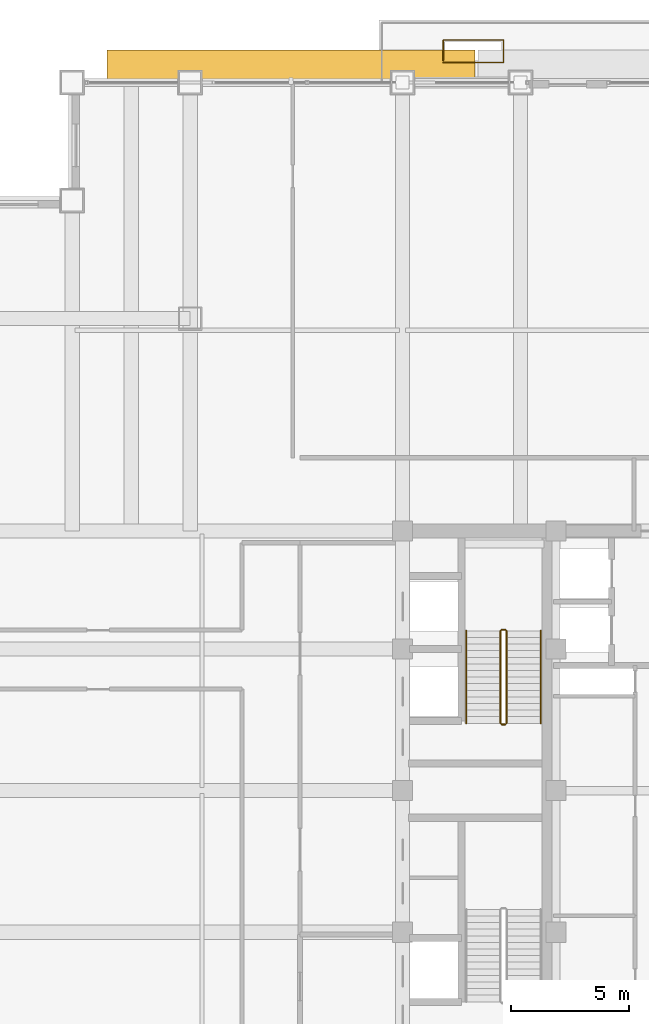
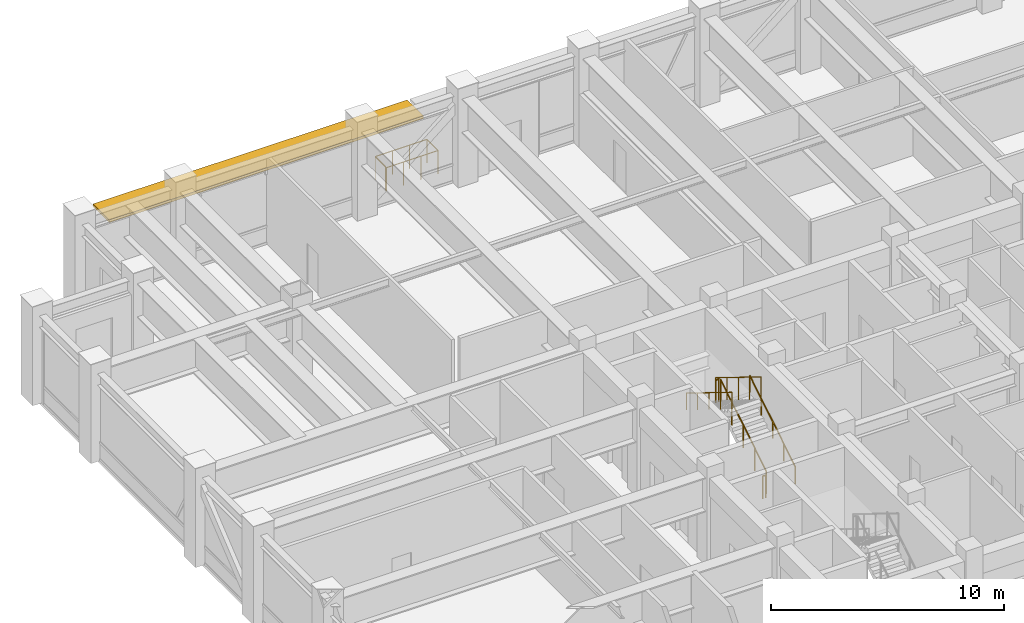
# One storey, part 31 of 33: 7 railings, 1 shading device.
"""IFC4 building model written with IfcOpenShell, lengths in metres."""

from ifc_helpers import new_model, si_unit, direction, frame, origin, origin_2d, place, context, subcontext, project, spatial, rectangle, circle, extrude, source, transform, mapped, material, layer, layer_set, type_object, element, save


model = new_model("IFC4")

# Units and contexts
model_context = context("Model", 3, precision=1e-05, world=origin(), true_north=direction((0.0, 1.0)))
body_context = subcontext(model_context, "Body", "Model", "MODEL_VIEW")
ifc_project = project(units=[si_unit("LENGTHUNIT", "METRE"), si_unit("AREAUNIT", "SQUARE_METRE"), si_unit("VOLUMEUNIT", "CUBIC_METRE"), si_unit("PLANEANGLEUNIT", "RADIAN"), si_unit("MASSUNIT", "GRAM", prefix="KILO")], contexts=[model_context])

# Site, building, storey
site_placement = place(None, origin())
site = spatial("IfcSite", under=ifc_project, at=site_placement, CompositionType="ELEMENT")
building_placement = place(site_placement, origin())
building = spatial("IfcBuilding", under=site, at=building_placement, Name="Khorayat Bourse Tower", CompositionType="ELEMENT")
storey_placement = place(building_placement, frame((0.0, 0.0, 263.10009765625)))
storey = spatial("IfcBuildingStorey", under=building, at=storey_placement, Name="L62", CompositionType="ELEMENT", Elevation=263.10009765625)

# Railing
ifc_material_1 = material(Name="Laminated glass and bronze balustrade", Category="glass")
railing_type_1 = type_object("IfcRailingType", Name="RLG-TERR-1250", PredefinedType="GUARDRAIL", material=ifc_material_1)
shared_shape_1 = source(origin(), body_context, "Body", "SweptSolid", [
    extrude(circle(Radius=0.02392578125, at=origin_2d()), frame((0.0, 0.0, 1.22607421875), z_axis=(1.0, 0.0, 0.0), x_axis=(0.0, 1.0, 0.0)), (0.0, 0.0, 1.0), 2.56005859375),
    extrude(circle(Radius=0.02392578125, at=origin_2d()), frame((2.56005859375, 0.0, 1.22607421875), z_axis=(0.0, 1.0, 0.0), x_axis=(-1.0, 0.0, 0.0)), (0.0, 0.0, 1.0), 0.9599609375),
    extrude(circle(Radius=0.02392578125, at=origin_2d()), frame((2.56005859375, 0.9599609375, 1.22607421875), z_axis=(-1.0, 0.0, 0.0), x_axis=(0.0, -1.0, 0.0)), (0.0, 0.0, 1.0), 2.56005859375),
    extrude(circle(Radius=0.02392578125, at=origin_2d()), frame((0.0, 0.9599609375, 1.22607421875), z_axis=(0.0, -1.0, 0.0), x_axis=(1.0, 0.0, 0.0)), (0.0, 0.0, 1.0), 0.8798828125),
    extrude(circle(Radius=0.02099609375, at=origin_2d()), origin(), (0.0, 0.0, 1.0), 1.201904296875),
    extrude(circle(Radius=0.02099609375, at=origin_2d()), frame((0.853271484375, 0.0, 0.0)), (0.0, 0.0, 1.0), 1.201904296875),
    extrude(circle(Radius=0.02099609375, at=origin_2d()), frame((1.706787109375, 0.0, 0.0)), (0.0, 0.0, 1.0), 1.201904296875),
    extrude(circle(Radius=0.02099609375, at=origin_2d()), frame((2.56005859375, 0.0, 0.0)), (0.0, 0.0, 1.0), 1.201904296875),
    extrude(circle(Radius=0.02099609375, at=origin_2d()), frame((2.56005859375, 0.9599609375, 0.0)), (0.0, 0.0, 1.0), 1.201904296875),
    extrude(circle(Radius=0.02099609375, at=origin_2d()), frame((1.706787109375, 0.9599609375, 0.0)), (0.0, 0.0, 1.0), 1.201904296875),
    extrude(circle(Radius=0.02099609375, at=origin_2d()), frame((0.853271484375, 0.9599609375, 0.0)), (0.0, 0.0, 1.0), 1.201904296875),
    extrude(circle(Radius=0.02099609375, at=origin_2d()), frame((0.0, 0.9599609375, 0.0)), (0.0, 0.0, 1.0), 1.201904296875),
    extrude(circle(Radius=0.02099609375, at=origin_2d()), frame((0.0, 0.080078125, 0.0)), (0.0, 0.0, 1.0), 1.201904296875),
])
railing_1_placement = place(storey_placement, frame((-9.280029296875, 30.844970703125, 0.0)))
element("IfcRailing", 1, at=railing_1_placement, inside=storey, type_object=railing_type_1, Name="L62 Terrace Tree-Pit Guardrail 01", PredefinedType="GUARDRAIL", context=body_context, shape_type="MappedRepresentation", body=[
    mapped(shared_shape_1, transform((0.0, 0.0, 0.0), scale=1.0)),
])

# Shading device
ifc_material_2 = material(Name="Precast concrete C45/55", Category="concrete")
ifc_layer = layer(ifc_material_2, 0.139892578125)
ifc_layer_set = layer_set([ifc_layer], Name="Precast concrete C45/55")
shading_device_type = type_object("IfcShadingDeviceType", Name="SHD-WAVE-TRAY-B", PredefinedType="USERDEFINED", material=ifc_layer_set)
shared_shape_2 = source(origin(), body_context, "Body", "SweptSolid", [
    extrude(rectangle(XDim=15.59326171875, YDim=1.3974609375, at=origin_2d()), origin(), (0.0, 0.0, 1.0), 0.139892578125),
])
shading_device_placement = place(storey_placement, frame((-15.7333984375, 30.6787109375, 3.85009765625), z_axis=(0.0, 0.0, 1.0), x_axis=(1.0, 0.0, 0.0)))
element("IfcShadingDevice", 2, at=shading_device_placement, inside=storey, type_object=shading_device_type, Name="L62 Sinusoidal Wave Sunshade Tray N-1", ObjectType="SUNSHADE", PredefinedType="USERDEFINED", context=body_context, shape_type="MappedRepresentation", body=[
    mapped(shared_shape_2, transform((0.0, 0.0, 0.0), scale=1.0)),
])

# Railings
ifc_material_3 = material(Name="Powder-coated steel balustrade", Category="steel")
railing_type_2 = type_object("IfcRailingType", Name="RLG-GUARD-1200", PredefinedType="GUARDRAIL", material=ifc_material_3)
shared_shape_3 = source(origin(), body_context, "Body", "SweptSolid", [
    extrude(circle(Radius=0.02392578125, at=origin_2d()), frame((0.0, 0.0, 1.17578125), z_axis=(-1.0, 0.0, 0.0), x_axis=(0.0, -1.0, 0.0)), (0.0, 0.0, 1.0), 0.150146484375),
    extrude(circle(Radius=0.02099609375, at=origin_2d()), origin(), (0.0, 0.0, 1.0), 1.15185546875),
    extrude(circle(Radius=0.02099609375, at=origin_2d()), frame((-0.150146484375, 0.0, 0.0)), (0.0, 0.0, 1.0), 1.15185546875),
])
for number, where, name in (
    (3, (-6.64990234375, 6.820068359375, 2.599853515625), "L62 ST-2 stair guard 2"),
    (4, (-6.64990234375, 2.800048828125, 0.0), "L62 ST-2 stair guard 4"),
):
    element("IfcRailing", number, at=place(storey_placement, frame(where)), inside=storey, type_object=railing_type_2, Name=name, PredefinedType="GUARDRAIL", context=body_context, shape_type="MappedRepresentation", body=[
        mapped(shared_shape_3, transform((0.0, 0.0, 0.0), scale=1.0)),
    ])
shared_shape_4 = source(origin(), body_context, "Body", "SweptSolid", [
    extrude(circle(Radius=0.02392578125, at=origin_2d()), frame((0.0, 0.0, 1.17578125), z_axis=(0.0, -0.850251603719, 0.526376491091), x_axis=(1.0, 0.0, 0.0)), (0.0, 0.0, 1.0), 4.6103515625),
    extrude(circle(Radius=0.02099609375, at=origin_2d()), origin(), (0.0, 0.0, 1.0), 1.15185546875),
    extrude(circle(Radius=0.02099609375, at=origin_2d()), frame((0.0, -0.97998046875, 0.606689453125)), (0.0, 0.0, 1.0), 1.15185546875),
    extrude(circle(Radius=0.02099609375, at=origin_2d()), frame((0.0, -1.9599609375, 1.21337890625)), (0.0, 0.0, 1.0), 1.15185546875),
    extrude(circle(Radius=0.02099609375, at=origin_2d()), frame((0.0, -2.93994140625, 1.820068359375)), (0.0, 0.0, 1.0), 1.15185546875),
    extrude(circle(Radius=0.02099609375, at=origin_2d()), frame((0.0, -3.919921875, 2.4267578125)), (0.0, 0.0, 1.0), 1.15185546875),
])
railing_2_placement = place(storey_placement, frame((-6.85009765625, 6.77001953125, 2.773193359375)))
element("IfcRailing", 5, at=railing_2_placement, inside=storey, type_object=railing_type_2, Name="L62 ST-2 stair guard 3", PredefinedType="GUARDRAIL", context=body_context, shape_type="MappedRepresentation", body=[
    mapped(shared_shape_4, transform((0.0, 0.0, 0.0), scale=1.0)),
])
ifc_material_4 = material(Name="Brushed bronze stainless-steel handrail", Category="steel")
railing_type_3 = type_object("IfcRailingType", Name="RLG-HAND-900", PredefinedType="HANDRAIL", material=ifc_material_4)
shared_shape_5 = source(origin(), body_context, "Body", "SweptSolid", [
    extrude(circle(Radius=0.02392578125, at=origin_2d()), frame((0.0, 0.0, 0.8759765625), z_axis=(0.0, -0.850251603719, 0.526376491091), x_axis=(1.0, 0.0, 0.0)), (0.0, 0.0, 1.0), 4.6103515625),
    extrude(circle(Radius=0.02099609375, at=origin_2d()), origin(), (0.0, 0.0, 1.0), 0.851806640625),
    extrude(circle(Radius=0.02099609375, at=origin_2d()), frame((0.0, -0.97998046875, 0.606689453125)), (0.0, 0.0, 1.0), 0.851806640625),
    extrude(circle(Radius=0.02099609375, at=origin_2d()), frame((0.0, -1.9599609375, 1.21337890625)), (0.0, 0.0, 1.0), 0.851806640625),
    extrude(circle(Radius=0.02099609375, at=origin_2d()), frame((0.0, -2.93994140625, 1.820068359375)), (0.0, 0.0, 1.0), 0.851806640625),
    extrude(circle(Radius=0.02099609375, at=origin_2d()), frame((0.0, -3.919921875, 2.4267578125)), (0.0, 0.0, 1.0), 0.851806640625),
])
railing_3_placement = place(storey_placement, frame((-8.300048828125, 6.77001953125, 2.773193359375)))
element("IfcRailing", 6, at=railing_3_placement, inside=storey, type_object=railing_type_3, Name="L62 ST-2 stair handrail 2", PredefinedType="HANDRAIL", context=body_context, shape_type="MappedRepresentation", body=[
    mapped(shared_shape_5, transform((0.0, 0.0, 0.0), scale=1.0)),
])
shared_shape_6 = source(origin(), body_context, "Body", "SweptSolid", [
    extrude(circle(Radius=0.02392578125, at=origin_2d()), frame((0.0, 0.0, 1.17578125), z_axis=(0.0, 0.850275303828, 0.526338206574), x_axis=(-1.0, 0.0, 0.0)), (0.0, 0.0, 1.0), 4.610107421875),
    extrude(circle(Radius=0.02099609375, at=origin_2d()), origin(), (0.0, 0.0, 1.0), 1.15185546875),
    extrude(circle(Radius=0.02099609375, at=origin_2d()), frame((0.0, 0.97998046875, 0.606689453125)), (0.0, 0.0, 1.0), 1.15185546875),
    extrude(circle(Radius=0.02099609375, at=origin_2d()), frame((0.0, 1.9599609375, 1.21337890625)), (0.0, 0.0, 1.0), 1.15185546875),
    extrude(circle(Radius=0.02099609375, at=origin_2d()), frame((0.0, 2.93994140625, 1.81982421875)), (0.0, 0.0, 1.0), 1.15185546875),
    extrude(circle(Radius=0.02099609375, at=origin_2d()), frame((0.0, 3.919921875, 2.426513671875)), (0.0, 0.0, 1.0), 1.15185546875),
])
railing_4_placement = place(storey_placement, frame((-6.60009765625, 2.85009765625, 0.17333984375)))
element("IfcRailing", 7, at=railing_4_placement, inside=storey, type_object=railing_type_2, Name="L62 ST-2 stair guard 1", PredefinedType="GUARDRAIL", context=body_context, shape_type="MappedRepresentation", body=[
    mapped(shared_shape_6, transform((0.0, 0.0, 0.0), scale=1.0)),
])
shared_shape_7 = source(origin(), body_context, "Body", "SweptSolid", [
    extrude(circle(Radius=0.02392578125, at=origin_2d()), frame((0.0, 0.0, 0.8759765625), z_axis=(0.0, 0.850275303828, 0.526338206574), x_axis=(-1.0, 0.0, 0.0)), (0.0, 0.0, 1.0), 4.610107421875),
    extrude(circle(Radius=0.02099609375, at=origin_2d()), origin(), (0.0, 0.0, 1.0), 0.851806640625),
    extrude(circle(Radius=0.02099609375, at=origin_2d()), frame((0.0, 0.97998046875, 0.606689453125)), (0.0, 0.0, 1.0), 0.851806640625),
    extrude(circle(Radius=0.02099609375, at=origin_2d()), frame((0.0, 1.9599609375, 1.21337890625)), (0.0, 0.0, 1.0), 0.851806640625),
    extrude(circle(Radius=0.02099609375, at=origin_2d()), frame((0.0, 2.93994140625, 1.81982421875)), (0.0, 0.0, 1.0), 0.851806640625),
    extrude(circle(Radius=0.02099609375, at=origin_2d()), frame((0.0, 3.919921875, 2.426513671875)), (0.0, 0.0, 1.0), 0.851806640625),
])
railing_5_placement = place(storey_placement, frame((-5.14990234375, 2.85009765625, 0.17333984375)))
element("IfcRailing", 8, at=railing_5_placement, inside=storey, type_object=railing_type_3, Name="L62 ST-2 stair handrail 1", PredefinedType="HANDRAIL", context=body_context, shape_type="MappedRepresentation", body=[
    mapped(shared_shape_7, transform((0.0, 0.0, 0.0), scale=1.0)),
])

save(model, "model.ifc")
